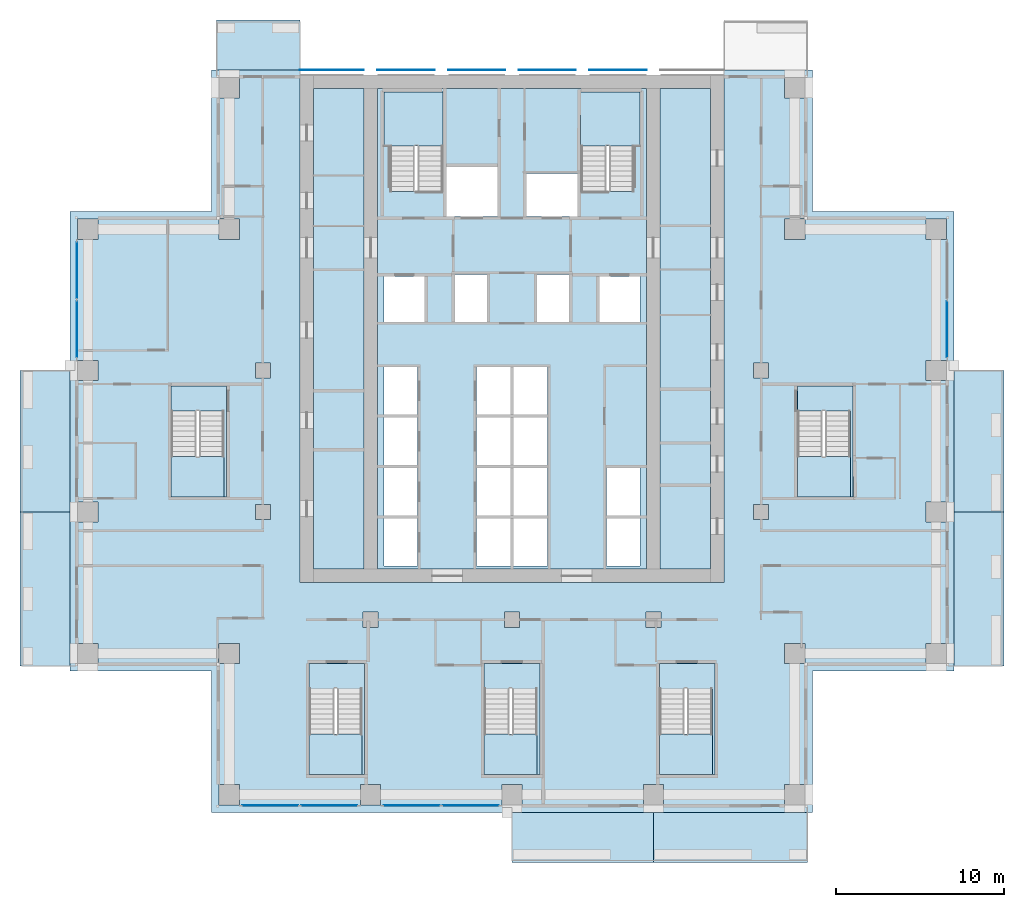
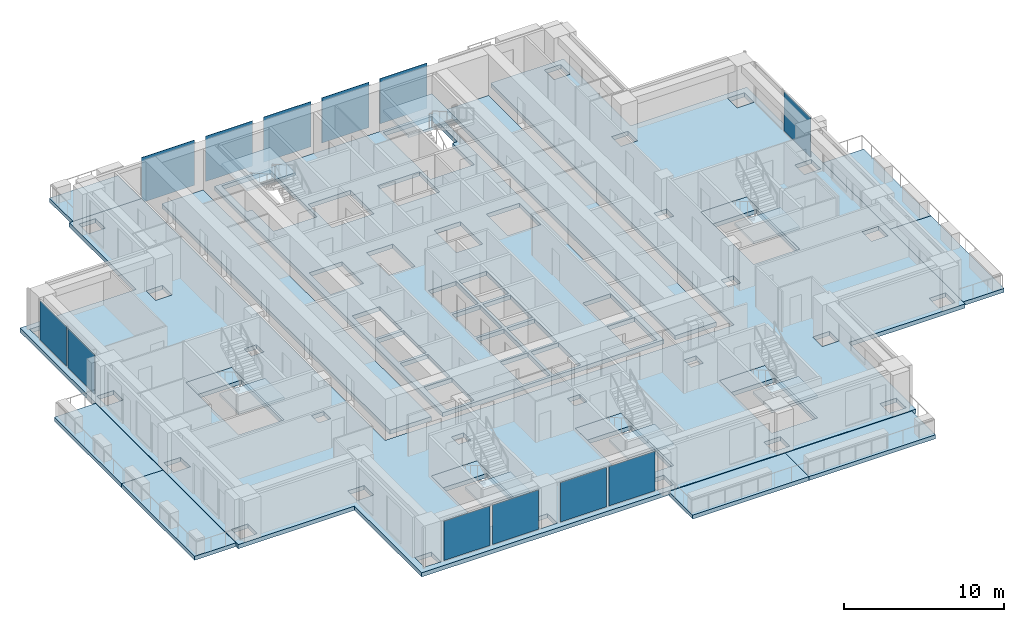
# One storey, part 7 of 18: 23 slabs, 12 plates, 11 elements without a shape of their own.
"""IFC4 building model written with IfcOpenShell, lengths in metres."""

from ifc_helpers import new_model, si_unit, direction, frame, origin, origin_2d, place, context, subcontext, project, spatial, polyline, rectangle, outline, extrude, material, layer, layer_set, type_object, element, aggregate, save


model = new_model("IFC4")

# Units and contexts
model_context = context("Model", 3, precision=1e-05, world=origin(), true_north=direction((0.0, 1.0)))
body_context = subcontext(model_context, "Body", "Model", "MODEL_VIEW")
ifc_project = project(units=[si_unit("LENGTHUNIT", "METRE"), si_unit("AREAUNIT", "SQUARE_METRE"), si_unit("VOLUMEUNIT", "CUBIC_METRE"), si_unit("PLANEANGLEUNIT", "RADIAN"), si_unit("MASSUNIT", "GRAM", prefix="KILO")], contexts=[model_context])

# Site, building, storey
site_placement = place(None, origin())
site = spatial("IfcSite", under=ifc_project, at=site_placement, CompositionType="ELEMENT")
building_placement = place(site_placement, origin())
building = spatial("IfcBuilding", under=site, at=building_placement, Name="Vermilion Ogive Tower", CompositionType="ELEMENT")
storey_placement = place(building_placement, frame((0.0, 0.0, 108.0)))
storey = spatial("IfcBuildingStorey", under=building, at=storey_placement, Name="L27", CompositionType="ELEMENT", Elevation=108.0)

# Slabs
ifc_material_1 = material(Name="Concrete B40", Category="concrete")
ifc_layer_1 = layer(ifc_material_1, 0.300048828125)
ifc_layer_set_1 = layer_set([ifc_layer_1], Name="Balcony slab")
slab_type_1 = type_object("IfcSlabType", Name="Balcony slab", PredefinedType="FLOOR", material=ifc_layer_set_1)
slab_1_placement = place(storey_placement, frame((0.0, 0.0, -0.340087890625)))
element("IfcSlab", 1, at=slab_1_placement, inside=storey, type_object=slab_type_1, Name="Balcony slab S03", PredefinedType="FLOOR", context=body_context, shape_type="SweptSolid", body=[
    extrude(outline(polyline([(0.0, -25.030029296875), (8.39990234375, -25.030029296875), (8.39990234375, -22.050048828125), (0.0, -22.050048828125), (0.0, -25.030029296875)])), origin(), (0.0, 0.0, 1.0), 0.300048828125),
])
slab_2_placement = place(storey_placement, frame((0.0, 0.0, -0.340087890625)))
element("IfcSlab", 2, at=slab_2_placement, inside=storey, type_object=slab_type_1, Name="Balcony slab S04", PredefinedType="FLOOR", context=body_context, shape_type="SweptSolid", body=[
    extrude(outline(polyline([(8.39990234375, -25.030029296875), (17.550048828125, -25.030029296875), (17.550048828125, -22.050048828125), (8.39990234375, -22.050048828125), (8.39990234375, -25.030029296875)])), origin(), (0.0, 0.0, 1.0), 0.300048828125),
])
slab_3_placement = place(storey_placement, frame((0.0, 0.0, -0.340087890625)))
element("IfcSlab", 3, at=slab_3_placement, inside=storey, type_object=slab_type_1, Name="Balcony slab E01", PredefinedType="FLOOR", context=body_context, shape_type="SweptSolid", body=[
    extrude(outline(polyline([(29.22998046875, -13.35009765625), (29.22998046875, -4.199951171875), (26.25, -4.199951171875), (26.25, -13.35009765625), (29.22998046875, -13.35009765625)])), origin(), (0.0, 0.0, 1.0), 0.300048828125),
])
slab_4_placement = place(storey_placement, frame((0.0, 0.0, -0.340087890625)))
element("IfcSlab", 4, at=slab_4_placement, inside=storey, type_object=slab_type_1, Name="Balcony slab E02", PredefinedType="FLOOR", context=body_context, shape_type="SweptSolid", body=[
    extrude(outline(polyline([(29.22998046875, -4.199951171875), (29.22998046875, 4.199951171875), (26.25, 4.199951171875), (26.25, -4.199951171875), (29.22998046875, -4.199951171875)])), origin(), (0.0, 0.0, 1.0), 0.300048828125),
])
slab_5_placement = place(storey_placement, frame((0.0, 0.0, -0.340087890625)))
element("IfcSlab", 5, at=slab_5_placement, inside=storey, type_object=slab_type_1, Name="Balcony slab N201", PredefinedType="FLOOR", context=body_context, shape_type="SweptSolid", body=[
    extrude(outline(polyline([(-12.60009765625, 25.030029296875), (-17.550048828125, 25.030029296875), (-17.550048828125, 22.050048828125), (-12.60009765625, 22.050048828125), (-12.60009765625, 25.030029296875)])), origin(), (0.0, 0.0, 1.0), 0.300048828125),
])
slab_6_placement = place(storey_placement, frame((0.0, 0.0, -0.340087890625)))
element("IfcSlab", 6, at=slab_6_placement, inside=storey, type_object=slab_type_1, Name="Balcony slab W02", PredefinedType="FLOOR", context=body_context, shape_type="SweptSolid", body=[
    extrude(outline(polyline([(-29.22998046875, 4.199951171875), (-29.22998046875, -4.199951171875), (-26.25, -4.199951171875), (-26.25, 4.199951171875), (-29.22998046875, 4.199951171875)])), origin(), (0.0, 0.0, 1.0), 0.300048828125),
])
slab_7_placement = place(storey_placement, frame((0.0, 0.0, -0.340087890625)))
element("IfcSlab", 7, at=slab_7_placement, inside=storey, type_object=slab_type_1, Name="Balcony slab W03", PredefinedType="FLOOR", context=body_context, shape_type="SweptSolid", body=[
    extrude(outline(polyline([(-29.22998046875, -4.199951171875), (-29.22998046875, -13.35009765625), (-26.25, -13.35009765625), (-26.25, -4.199951171875), (-29.22998046875, -4.199951171875)])), origin(), (0.0, 0.0, 1.0), 0.300048828125),
])

# Curtain wall, plates
ifc_material_2 = material(Name="Low-iron laminated glazing in aluminium frame", Category="aluminium")
curtain_wall_type = type_object("IfcCurtainWallType", Name="Curtain wall CW7", PredefinedType="NOTDEFINED", material=ifc_material_2)
curtain_wall_1_placement = place(storey_placement, origin())
curtain_wall_1 = element("IfcCurtainWall", 8, at=curtain_wall_1_placement, inside=storey, type_object=curtain_wall_type, Name="Glazed skin S1", PredefinedType="NOTDEFINED")
ifc_material_3 = material(Name="Low-iron laminated glazing in aluminium frame", Category="aluminium")
ifc_layer_2 = layer(ifc_material_3, 0.031982421875)
ifc_layer_set_2 = layer_set([ifc_layer_2], Name="CW7 glazing panel 32")
plate_type_1 = type_object("IfcPlateType", Name="CW7 glazing panel 32", PredefinedType="CURTAIN_PANEL", material=ifc_layer_set_2)
plate_1_placement = place(storey_placement, frame((-14.35498046875, -21.64990234375, 0.06005859375), z_axis=(0.0, 0.0, 1.0), x_axis=(1.0, 0.0, 0.0)))
plate_1 = element("IfcPlate", 9, at=plate_1_placement, type_object=plate_type_1, Name="CW7-S1 panel 1.1", PredefinedType="CURTAIN_PANEL", context=body_context, shape_type="SweptSolid", body=[
    extrude(rectangle(XDim=3.330078125, YDim=0.031982421875, at=origin_2d()), origin(), (0.0, 0.0, 1.0), 3.010009765625),
])
plate_2_placement = place(storey_placement, frame((-10.844970703125, -21.64990234375, 0.06005859375), z_axis=(0.0, 0.0, 1.0), x_axis=(1.0, 0.0, 0.0)))
plate_2 = element("IfcPlate", 10, at=plate_2_placement, type_object=plate_type_1, Name="CW7-S1 panel 2.1", PredefinedType="CURTAIN_PANEL", context=body_context, shape_type="SweptSolid", body=[
    extrude(rectangle(XDim=3.330078125, YDim=0.031982421875, at=origin_2d()), origin(), (0.0, 0.0, 1.0), 3.010009765625),
])
aggregate(curtain_wall_1, [plate_1, plate_2])

curtain_wall_2_placement = place(storey_placement, origin())
curtain_wall_2 = element("IfcCurtainWall", 11, at=curtain_wall_2_placement, inside=storey, type_object=curtain_wall_type, Name="Glazed skin S2", PredefinedType="NOTDEFINED")
plate_3_placement = place(storey_placement, frame((-5.955078125, -21.64990234375, 0.06005859375), z_axis=(0.0, 0.0, 1.0), x_axis=(1.0, 0.0, 0.0)))
plate_3 = element("IfcPlate", 12, at=plate_3_placement, type_object=plate_type_1, Name="CW7-S2 panel 1.1", PredefinedType="CURTAIN_PANEL", context=body_context, shape_type="SweptSolid", body=[
    extrude(rectangle(XDim=3.330078125, YDim=0.031982421875, at=origin_2d()), origin(), (0.0, 0.0, 1.0), 3.010009765625),
])
plate_4_placement = place(storey_placement, frame((-2.445068359375, -21.64990234375, 0.06005859375), z_axis=(0.0, 0.0, 1.0), x_axis=(1.0, 0.0, 0.0)))
plate_4 = element("IfcPlate", 13, at=plate_4_placement, type_object=plate_type_1, Name="CW7-S2 panel 2.1", PredefinedType="CURTAIN_PANEL", context=body_context, shape_type="SweptSolid", body=[
    extrude(rectangle(XDim=3.330078125, YDim=0.031982421875, at=origin_2d()), origin(), (0.0, 0.0, 1.0), 3.010009765625),
])
aggregate(curtain_wall_2, [plate_3, plate_4])

# Curtain wall, plate
curtain_wall_3_placement = place(storey_placement, origin())
curtain_wall_3 = element("IfcCurtainWall", 14, at=curtain_wall_3_placement, inside=storey, type_object=curtain_wall_type, Name="Glazed skin E3", PredefinedType="NOTDEFINED")
plate_5_placement = place(storey_placement, frame((25.85009765625, 6.64501953125, 0.06005859375), z_axis=(0.0, 0.0, 1.0), x_axis=(0.0, 1.0, 0.0)))
plate_5 = element("IfcPlate", 15, at=plate_5_placement, type_object=plate_type_1, Name="CW7-E3 panel 1.1", PredefinedType="CURTAIN_PANEL", context=body_context, shape_type="SweptSolid", body=[
    extrude(rectangle(XDim=3.330078125, YDim=0.031982421875, at=origin_2d()), origin(), (0.0, 0.0, 1.0), 3.010009765625),
])
aggregate(curtain_wall_3, [plate_5])

# Curtain wall, plates
curtain_wall_4_placement = place(storey_placement, origin())
curtain_wall_4 = element("IfcCurtainWall", 16, at=curtain_wall_4_placement, inside=storey, type_object=curtain_wall_type, Name="Glazed skin W1", PredefinedType="NOTDEFINED")
plate_6_placement = place(storey_placement, frame((-25.85009765625, 10.155029296875, 0.06005859375), z_axis=(0.0, 0.0, 1.0), x_axis=(0.0, -1.0, 0.0)))
plate_6 = element("IfcPlate", 17, at=plate_6_placement, type_object=plate_type_1, Name="CW7-W1 panel 1.1", PredefinedType="CURTAIN_PANEL", context=body_context, shape_type="SweptSolid", body=[
    extrude(rectangle(XDim=3.330078125, YDim=0.031982421875, at=origin_2d()), origin(), (0.0, 0.0, 1.0), 3.010009765625),
])
plate_7_placement = place(storey_placement, frame((-25.85009765625, 6.64501953125, 0.06005859375), z_axis=(0.0, 0.0, 1.0), x_axis=(0.0, -1.0, 0.0)))
plate_7 = element("IfcPlate", 18, at=plate_7_placement, type_object=plate_type_1, Name="CW7-W1 panel 2.1", PredefinedType="CURTAIN_PANEL", context=body_context, shape_type="SweptSolid", body=[
    extrude(rectangle(XDim=3.330078125, YDim=0.031982421875, at=origin_2d()), origin(), (0.0, 0.0, 1.0), 3.010009765625),
])
aggregate(curtain_wall_4, [plate_6, plate_7])

# Slabs
ifc_material_4 = material(Name="Concrete B40", Category="concrete")
ifc_layer_3 = layer(ifc_material_4, 0.320068359375)
ifc_layer_set_3 = layer_set([ifc_layer_3], Name="Core floor slab 320 B40")
slab_type_2 = type_object("IfcSlabType", Name="Core floor slab 320 B40", PredefinedType="FLOOR", material=ifc_layer_set_3)
slab_8_placement = place(storey_placement, frame((0.0, 0.0, -0.320068359375)))
element("IfcSlab", 19, at=slab_8_placement, inside=storey, type_object=slab_type_2, Name="L27-CK-FS1", PredefinedType="FLOOR", context=body_context, shape_type="SweptSolid", body=[
    extrude(outline(polyline([(-8.803955078125, 20.946044921875), (-8.803955078125, -7.595947265625), (-11.7958984375, -7.595947265625), (-11.7958984375, 20.946044921875), (-8.803955078125, 20.946044921875)])), origin(), (0.0, 0.0, 1.0), 0.320068359375),
])
slab_9_placement = place(storey_placement, frame((0.0, 0.0, -0.320068359375)))
element("IfcSlab", 20, at=slab_9_placement, inside=storey, type_object=slab_type_2, Name="L27-CK-FS2", PredefinedType="FLOOR", context=body_context, shape_type="SweptSolid", body=[
    extrude(outline(polyline([(-7.99609375, 20.946044921875), (-7.99609375, -7.595947265625), (7.99609375, -7.595947265625), (7.99609375, 20.946044921875), (-7.99609375, 20.946044921875)]), holes=[polyline([(-7.60009765625, -4.60009765625), (-5.60009765625, -4.60009765625), (-5.60009765625, -7.39990234375), (-7.60009765625, -7.39990234375), (-7.60009765625, -4.60009765625)]), polyline([(-2.10009765625, -4.60009765625), (-0.10009765625, -4.60009765625), (-0.10009765625, -7.39990234375), (-2.10009765625, -7.39990234375), (-2.10009765625, -4.60009765625)]), polyline([(-7.60009765625, -4.39990234375), (-7.60009765625, -1.60009765625), (-5.60009765625, -1.60009765625), (-5.60009765625, -4.39990234375), (-7.60009765625, -4.39990234375)]), polyline([(-2.10009765625, -1.60009765625), (-0.10009765625, -1.60009765625), (-0.10009765625, -4.39990234375), (-2.10009765625, -4.39990234375), (-2.10009765625, -1.60009765625)]), polyline([(-7.60009765625, -1.39990234375), (-7.60009765625, 1.39990234375), (-5.60009765625, 1.39990234375), (-5.60009765625, -1.39990234375), (-7.60009765625, -1.39990234375)]), polyline([(-2.10009765625, 1.39990234375), (-0.10009765625, 1.39990234375), (-0.10009765625, -1.39990234375), (-2.10009765625, -1.39990234375), (-2.10009765625, 1.39990234375)]), polyline([(-7.60009765625, 4.39990234375), (-5.60009765625, 4.39990234375), (-5.60009765625, 1.60009765625), (-7.60009765625, 1.60009765625), (-7.60009765625, 4.39990234375)]), polyline([(-2.10009765625, 4.39990234375), (-0.10009765625, 4.39990234375), (-0.10009765625, 1.60009765625), (-2.10009765625, 1.60009765625), (-2.10009765625, 4.39990234375)]), polyline([(-7.60009765625, 9.800048828125), (-5.199951171875, 9.800048828125), (-5.199951171875, 7.10009765625), (-7.60009765625, 7.10009765625), (-7.60009765625, 9.800048828125)]), polyline([(-3.39990234375, 9.89990234375), (-1.5, 9.89990234375), (-1.5, 7.10009765625), (-3.39990234375, 7.10009765625), (-3.39990234375, 9.89990234375)]), polyline([(-3.89990234375, 16.300048828125), (-0.85009765625, 16.300048828125), (-0.85009765625, 13.35009765625), (-3.89990234375, 13.35009765625), (-3.89990234375, 16.300048828125)]), polyline([(-7.60009765625, 17.550048828125), (-7.60009765625, 20.75), (-4.10009765625, 20.75), (-4.10009765625, 14.85205078125), (-5.60009765625, 14.85205078125), (-5.60009765625, 14.85009765625), (-5.75, 14.85009765625), (-5.75, 14.85205078125), (-7.25, 14.85205078125), (-7.25, 17.550048828125), (-7.60009765625, 17.550048828125)]), polyline([(0.10009765625, -4.60009765625), (2.10009765625, -4.60009765625), (2.10009765625, -7.39990234375), (0.10009765625, -7.39990234375), (0.10009765625, -4.60009765625)]), polyline([(5.60009765625, -4.60009765625), (7.60009765625, -4.60009765625), (7.60009765625, -7.39990234375), (5.60009765625, -7.39990234375), (5.60009765625, -4.60009765625)]), polyline([(0.10009765625, -1.60009765625), (2.10009765625, -1.60009765625), (2.10009765625, -4.39990234375), (0.10009765625, -4.39990234375), (0.10009765625, -1.60009765625)]), polyline([(5.60009765625, -1.60009765625), (7.60009765625, -1.60009765625), (7.60009765625, -4.39990234375), (5.60009765625, -4.39990234375), (5.60009765625, -1.60009765625)]), polyline([(0.10009765625, 1.39990234375), (2.10009765625, 1.39990234375), (2.10009765625, -1.39990234375), (0.10009765625, -1.39990234375), (0.10009765625, 1.39990234375)]), polyline([(0.10009765625, 4.39990234375), (2.10009765625, 4.39990234375), (2.10009765625, 1.60009765625), (0.10009765625, 1.60009765625), (0.10009765625, 4.39990234375)]), polyline([(5.199951171875, 9.800048828125), (7.60009765625, 9.800048828125), (7.60009765625, 7.10009765625), (5.199951171875, 7.10009765625), (5.199951171875, 9.800048828125)]), polyline([(1.5, 9.89990234375), (3.39990234375, 9.89990234375), (3.39990234375, 7.10009765625), (1.5, 7.10009765625), (1.5, 9.89990234375)]), polyline([(0.85009765625, 15.89990234375), (3.89990234375, 15.89990234375), (3.89990234375, 13.35009765625), (0.85009765625, 13.35009765625), (0.85009765625, 15.89990234375)]), polyline([(5.75, 14.85009765625), (5.60009765625, 14.85009765625), (5.60009765625, 14.85205078125), (4.10009765625, 14.85205078125), (4.10009765625, 17.550048828125), (4.074951171875, 17.550048828125), (4.074951171875, 20.75), (7.60009765625, 20.75), (7.60009765625, 17.550048828125), (7.25, 17.550048828125), (7.25, 14.85205078125), (5.75, 14.85205078125), (5.75, 14.85009765625)])]), origin(), (0.0, 0.0, 1.0), 0.320068359375),
])
slab_10_placement = place(storey_placement, frame((0.0, 0.0, -0.320068359375)))
element("IfcSlab", 21, at=slab_10_placement, inside=storey, type_object=slab_type_2, Name="L27-CK-FS3", PredefinedType="FLOOR", context=body_context, shape_type="SweptSolid", body=[
    extrude(outline(polyline([(11.7958984375, -7.595947265625), (8.803955078125, -7.595947265625), (8.803955078125, 20.946044921875), (11.7958984375, 20.946044921875), (11.7958984375, -7.595947265625)])), origin(), (0.0, 0.0, 1.0), 0.320068359375),
])
slab_11_placement = place(storey_placement, frame((0.0, 0.0, -0.320068359375)))
element("IfcSlab", 22, at=slab_11_placement, inside=storey, type_object=slab_type_2, Name="L27-SF-ST3-1", PredefinedType="FLOOR", context=body_context, shape_type="SweptSolid", body=[
    extrude(outline(polyline([(-12.050048828125, -13.199951171875), (-12.050048828125, -14.701904296875), (-10.550048828125, -14.701904296875), (-10.550048828125, -14.699951171875), (-10.39990234375, -14.699951171875), (-10.39990234375, -14.701904296875), (-8.89990234375, -14.701904296875), (-8.89990234375, -19.800048828125), (-8.75, -19.800048828125), (-8.75, -13.199951171875), (-12.050048828125, -13.199951171875)])), origin(), (0.0, 0.0, 1.0), 0.320068359375),
])
slab_12_placement = place(storey_placement, frame((0.0, 0.0, -0.320068359375)))
element("IfcSlab", 23, at=slab_12_placement, inside=storey, type_object=slab_type_2, Name="L27-SF-ST4-1", PredefinedType="FLOOR", context=body_context, shape_type="SweptSolid", body=[
    extrude(outline(polyline([(-1.64990234375, -13.199951171875), (-1.64990234375, -14.701904296875), (-0.14990234375, -14.701904296875), (-0.14990234375, -14.699951171875), (0.0, -14.699951171875), (0.0, -14.701904296875), (1.5, -14.701904296875), (1.5, -19.800048828125), (1.64990234375, -19.800048828125), (1.64990234375, -13.199951171875), (-1.64990234375, -13.199951171875)])), origin(), (0.0, 0.0, 1.0), 0.320068359375),
])
slab_13_placement = place(storey_placement, frame((0.0, 0.0, -0.320068359375)))
element("IfcSlab", 24, at=slab_13_placement, inside=storey, type_object=slab_type_2, Name="L27-SF-ST5-1", PredefinedType="FLOOR", context=body_context, shape_type="SweptSolid", body=[
    extrude(outline(polyline([(8.75, -13.199951171875), (8.75, -14.701904296875), (10.25, -14.701904296875), (10.25, -14.699951171875), (10.39990234375, -14.699951171875), (10.39990234375, -14.701904296875), (11.89990234375, -14.701904296875), (11.89990234375, -19.800048828125), (12.050048828125, -19.800048828125), (12.050048828125, -13.199951171875), (8.75, -13.199951171875)])), origin(), (0.0, 0.0, 1.0), 0.320068359375),
])
slab_14_placement = place(storey_placement, frame((0.0, 0.0, -0.320068359375)))
element("IfcSlab", 25, at=slab_14_placement, inside=storey, type_object=slab_type_2, Name="L27-SF-ST8-1", PredefinedType="FLOOR", context=body_context, shape_type="SweptSolid", body=[
    extrude(outline(polyline([(16.949951171875, 3.300048828125), (16.949951171875, 1.798095703125), (18.449951171875, 1.798095703125), (18.449951171875, 1.800048828125), (18.60009765625, 1.800048828125), (18.60009765625, 1.798095703125), (20.10009765625, 1.798095703125), (20.10009765625, -3.300048828125), (20.25, -3.300048828125), (20.25, 3.300048828125), (16.949951171875, 3.300048828125)])), origin(), (0.0, 0.0, 1.0), 0.320068359375),
])
slab_15_placement = place(storey_placement, frame((0.0, 0.0, -0.320068359375)))
element("IfcSlab", 26, at=slab_15_placement, inside=storey, type_object=slab_type_2, Name="L27-SF-ST9-1", PredefinedType="FLOOR", context=body_context, shape_type="SweptSolid", body=[
    extrude(outline(polyline([(-20.25, 3.300048828125), (-20.25, 1.798095703125), (-18.75, 1.798095703125), (-18.75, 1.800048828125), (-18.60009765625, 1.800048828125), (-18.60009765625, 1.798095703125), (-17.10009765625, 1.798095703125), (-17.10009765625, -3.300048828125), (-16.949951171875, -3.300048828125), (-16.949951171875, 3.300048828125), (-20.25, 3.300048828125)])), origin(), (0.0, 0.0, 1.0), 0.320068359375),
])

# Plates
ifc_material_5 = material(Name="Low-iron laminated glazing in aluminium frame", Category="aluminium")
ifc_layer_4 = layer(ifc_material_5, 0.031982421875)
ifc_layer_set_4 = layer_set([ifc_layer_4], Name="Glazed rainscreen sheet 32")
plate_type_2 = type_object("IfcPlateType", Name="Glazed rainscreen sheet 32", PredefinedType="SHEET", material=ifc_layer_set_4)
plate_8_placement = place(storey_placement, frame((-10.7099609375, 22.06591796875, -0.31982421875), z_axis=(0.0, 0.0, 1.0), x_axis=(1.0, 0.0, 0.0)))
element("IfcPlate", 27, at=plate_8_placement, inside=storey, type_object=plate_type_2, Name="Glazed rainscreen sheet N1", PredefinedType="SHEET", context=body_context, shape_type="SweptSolid", body=[
    extrude(rectangle(XDim=3.820068359375, YDim=0.031982421875, at=origin_2d()), origin(), (0.0, 0.0, 1.0), 3.449951171875),
])
for number, where, z_axis, x_axis, name in (
    (28, (-6.300048828125, 22.06591796875, -0.31982421875), (0.0, 0.0, 1.0), (1.0, 0.0, 0.0), "Glazed rainscreen sheet N2"),
    (29, (-2.10009765625, 22.06591796875, -0.31982421875), (0.0, 0.0, 1.0), (1.0, 0.0, 0.0), "Glazed rainscreen sheet N3"),
    (30, (2.10009765625, 22.06591796875, -0.31982421875), (0.0, 0.0, 1.0), (1.0, 0.0, 0.0), "Glazed rainscreen sheet N4"),
    (31, (6.300048828125, 22.06591796875, -0.31982421875), (0.0, 0.0, 1.0), (1.0, 0.0, 0.0), "Glazed rainscreen sheet N5"),
):
    element("IfcPlate", number, at=place(storey_placement, frame(where, z_axis=z_axis, x_axis=x_axis)), inside=storey, type_object=plate_type_2, Name=name, PredefinedType="SHEET", context=body_context, shape_type="SweptSolid", body=[
        extrude(rectangle(XDim=3.39990234375, YDim=0.031982421875, at=origin_2d()), origin(), (0.0, 0.0, 1.0), 3.449951171875),
    ])

# Slab
ifc_material_6 = material(Name="Concrete B45", Category="concrete")
ifc_layer_5 = layer(ifc_material_6, 0.320068359375)
ifc_layer_set_5 = layer_set([ifc_layer_5], Name="Post-tensioned flat plate 320 B45")
slab_type_3 = type_object("IfcSlabType", Name="Post-tensioned flat plate 320 B45", PredefinedType="FLOOR", material=ifc_layer_set_5)
slab_16_placement = place(storey_placement, frame((0.0, 0.0, -0.320068359375)))
element("IfcSlab", 32, at=slab_16_placement, inside=storey, type_object=slab_type_3, Name="L27-SL-1", PredefinedType="FLOOR", context=body_context, shape_type="SweptSolid", body=[
    extrude(outline(polyline([(-26.25, -13.64990234375), (-17.85009765625, -13.64990234375), (-17.85009765625, -22.050048828125), (17.85009765625, -22.050048828125), (17.85009765625, -13.64990234375), (26.25, -13.64990234375), (26.25, 13.64990234375), (17.85009765625, 13.64990234375), (17.85009765625, 22.050048828125), (12.60009765625, 22.050048828125), (12.60009765625, -8.39990234375), (-12.60009765625, -8.39990234375), (-12.60009765625, 22.050048828125), (-17.85009765625, 22.050048828125), (-17.85009765625, 13.64990234375), (-26.25, 13.64990234375), (-26.25, -13.64990234375)]), holes=[polyline([(25.800048828125, -3.60009765625), (25.800048828125, -4.800048828125), (24.60009765625, -4.800048828125), (24.60009765625, -3.60009765625), (25.800048828125, -3.60009765625)]), polyline([(25.800048828125, -12.0), (25.800048828125, -13.199951171875), (24.60009765625, -13.199951171875), (24.60009765625, -12.0), (25.800048828125, -12.0)]), polyline([(25.800048828125, 12.0), (24.60009765625, 12.0), (24.60009765625, 13.199951171875), (25.800048828125, 13.199951171875), (25.800048828125, 12.0)]), polyline([(25.800048828125, 3.60009765625), (24.60009765625, 3.60009765625), (24.60009765625, 4.800048828125), (25.800048828125, 4.800048828125), (25.800048828125, 3.60009765625)]), polyline([(20.25, -3.2998046875), (20.25, -3.300048828125), (16.949951171875, -3.300048828125), (16.949951171875, 3.300048828125), (20.25, 3.300048828125), (20.25, -0.89990234375), (20.275146484375, -0.89990234375), (20.275146484375, -3.2998046875), (20.25, -3.2998046875)]), polyline([(17.39990234375, -12.0), (17.39990234375, -13.199951171875), (16.199951171875, -13.199951171875), (16.199951171875, -12.0), (17.39990234375, -12.0)]), polyline([(17.39990234375, 20.39990234375), (16.199951171875, 20.39990234375), (16.199951171875, 21.60009765625), (17.39990234375, 21.60009765625), (17.39990234375, 20.39990234375)]), polyline([(17.39990234375, -20.39990234375), (17.39990234375, -21.60009765625), (16.199951171875, -21.60009765625), (16.199951171875, -20.39990234375), (17.39990234375, -20.39990234375)]), polyline([(17.39990234375, 13.199951171875), (17.39990234375, 12.0), (16.199951171875, 12.0), (16.199951171875, 13.199951171875), (17.39990234375, 13.199951171875)]), polyline([(15.25, 4.64990234375), (15.25, 3.75), (14.35009765625, 3.75), (14.35009765625, 4.64990234375), (15.25, 4.64990234375)]), polyline([(15.25, -4.64990234375), (14.35009765625, -4.64990234375), (14.35009765625, -3.75), (15.25, -3.75), (15.25, -4.64990234375)]), polyline([(12.050048828125, -13.199951171875), (12.050048828125, -19.800048828125), (8.75, -19.800048828125), (8.75, -13.199951171875), (12.050048828125, -13.199951171875)]), polyline([(9.0, -20.39990234375), (9.0, -21.60009765625), (7.800048828125, -21.60009765625), (7.800048828125, -20.39990234375), (9.0, -20.39990234375)]), polyline([(8.85009765625, -11.050048828125), (7.949951171875, -11.050048828125), (7.949951171875, -10.14990234375), (8.85009765625, -10.14990234375), (8.85009765625, -11.050048828125)]), polyline([(1.64990234375, -13.199951171875), (1.64990234375, -19.800048828125), (-1.64990234375, -19.800048828125), (-1.64990234375, -13.199951171875), (1.64990234375, -13.199951171875)]), polyline([(0.60009765625, -20.39990234375), (0.60009765625, -21.60009765625), (-0.60009765625, -21.60009765625), (-0.60009765625, -20.39990234375), (0.60009765625, -20.39990234375)]), polyline([(0.449951171875, -10.14990234375), (0.449951171875, -11.050048828125), (-0.449951171875, -11.050048828125), (-0.449951171875, -10.14990234375), (0.449951171875, -10.14990234375)]), polyline([(-7.800048828125, -20.39990234375), (-7.800048828125, -21.60009765625), (-9.0, -21.60009765625), (-9.0, -20.39990234375), (-7.800048828125, -20.39990234375)]), polyline([(-7.949951171875, -10.14990234375), (-7.949951171875, -11.050048828125), (-8.85009765625, -11.050048828125), (-8.85009765625, -10.14990234375), (-7.949951171875, -10.14990234375)]), polyline([(-8.75, -13.199951171875), (-8.75, -19.800048828125), (-12.050048828125, -19.800048828125), (-12.050048828125, -13.199951171875), (-8.75, -13.199951171875)]), polyline([(-14.35009765625, 4.64990234375), (-14.35009765625, 3.75), (-15.25, 3.75), (-15.25, 4.64990234375), (-14.35009765625, 4.64990234375)]), polyline([(-14.35009765625, -4.64990234375), (-15.25, -4.64990234375), (-15.25, -3.75), (-14.35009765625, -3.75), (-14.35009765625, -4.64990234375)]), polyline([(-16.199951171875, 13.199951171875), (-16.199951171875, 12.0), (-17.39990234375, 12.0), (-17.39990234375, 13.199951171875), (-16.199951171875, 13.199951171875)]), polyline([(-16.199951171875, -12.0), (-16.199951171875, -13.199951171875), (-17.39990234375, -13.199951171875), (-17.39990234375, -12.0), (-16.199951171875, -12.0)]), polyline([(-16.199951171875, -20.39990234375), (-16.199951171875, -21.60009765625), (-17.39990234375, -21.60009765625), (-17.39990234375, -20.39990234375), (-16.199951171875, -20.39990234375)]), polyline([(-16.199951171875, 20.39990234375), (-17.39990234375, 20.39990234375), (-17.39990234375, 21.60009765625), (-16.199951171875, 21.60009765625), (-16.199951171875, 20.39990234375)]), polyline([(-16.949951171875, 3.300048828125), (-16.949951171875, -3.300048828125), (-20.25, -3.300048828125), (-20.25, 3.300048828125), (-16.949951171875, 3.300048828125)]), polyline([(-24.60009765625, 3.60009765625), (-25.800048828125, 3.60009765625), (-25.800048828125, 4.800048828125), (-24.60009765625, 4.800048828125), (-24.60009765625, 3.60009765625)]), polyline([(-24.60009765625, 13.199951171875), (-24.60009765625, 12.0), (-25.800048828125, 12.0), (-25.800048828125, 13.199951171875), (-24.60009765625, 13.199951171875)]), polyline([(-24.60009765625, -3.60009765625), (-24.60009765625, -4.800048828125), (-25.800048828125, -4.800048828125), (-25.800048828125, -3.60009765625), (-24.60009765625, -3.60009765625)]), polyline([(-24.60009765625, -12.0), (-24.60009765625, -13.199951171875), (-25.800048828125, -13.199951171875), (-25.800048828125, -12.0), (-24.60009765625, -12.0)])]), origin(), (0.0, 0.0, 1.0), 0.320068359375),
])

# Stair, slab
ifc_material_7 = material(Name="Concrete B40", Category="concrete")
stair_type = type_object("IfcStairType", Name="Exit stair 1500", PredefinedType="HALF_TURN_STAIR", material=ifc_material_7)
stair_1_placement = place(storey_placement, origin())
stair_1 = element("IfcStair", 33, at=stair_1_placement, inside=storey, type_object=stair_type, Name="L27 Exit Stair ST1", PredefinedType="HALF_TURN_STAIR")
ifc_material_8 = material(Name="Concrete B40", Category="concrete")
ifc_layer_6 = layer(ifc_material_8, 0.199951171875)
ifc_layer_set_6 = layer_set([ifc_layer_6], Name="Stair landing 200")
slab_type_4 = type_object("IfcSlabType", Name="Stair landing 200", PredefinedType="LANDING", material=ifc_layer_set_6)
slab_17_placement = place(storey_placement, frame((0.0, 0.0, 1.52490234375)))
slab_17 = element("IfcSlab", 34, at=slab_17_placement, type_object=slab_type_4, Name="ST1 landing 1", PredefinedType="LANDING", context=body_context, shape_type="SweptSolid", body=[
    extrude(outline(polyline([(-7.60009765625, 17.550048828125), (-7.25, 17.550048828125), (-7.25, 17.548095703125), (-5.75, 17.548095703125), (-5.75, 17.550048828125), (-5.60009765625, 17.550048828125), (-5.60009765625, 17.548095703125), (-4.10009765625, 17.548095703125), (-4.10009765625, 20.75), (-7.60009765625, 20.75), (-7.60009765625, 17.550048828125)])), origin(), (0.0, 0.0, 1.0), 0.2001953125),
])
aggregate(stair_1, [slab_17])

stair_2_placement = place(storey_placement, origin())
stair_2 = element("IfcStair", 35, at=stair_2_placement, inside=storey, type_object=stair_type, Name="L27 Exit Stair ST2", PredefinedType="HALF_TURN_STAIR")
slab_18_placement = place(storey_placement, frame((0.0, 0.0, 1.52490234375)))
slab_18 = element("IfcSlab", 36, at=slab_18_placement, type_object=slab_type_4, Name="ST2 landing 1", PredefinedType="LANDING", context=body_context, shape_type="SweptSolid", body=[
    extrude(outline(polyline([(5.60009765625, 17.550048828125), (5.75, 17.550048828125), (5.75, 17.548095703125), (7.25, 17.548095703125), (7.25, 17.550048828125), (7.60009765625, 17.550048828125), (7.60009765625, 20.75), (4.074951171875, 20.75), (4.074951171875, 17.550048828125), (4.10009765625, 17.550048828125), (4.10009765625, 17.548095703125), (5.60009765625, 17.548095703125), (5.60009765625, 17.550048828125)])), origin(), (0.0, 0.0, 1.0), 0.2001953125),
])
aggregate(stair_2, [slab_18])

stair_3_placement = place(storey_placement, origin())
stair_3 = element("IfcStair", 37, at=stair_3_placement, inside=storey, type_object=stair_type, Name="L27 Exit Stair ST3", PredefinedType="HALF_TURN_STAIR")
slab_19_placement = place(storey_placement, frame((0.0, 0.0, 1.52490234375)))
slab_19 = element("IfcSlab", 38, at=slab_19_placement, type_object=slab_type_4, Name="ST3 landing 1", PredefinedType="LANDING", context=body_context, shape_type="SweptSolid", body=[
    extrude(outline(polyline([(-8.75, -17.39990234375), (-8.89990234375, -17.39990234375), (-8.89990234375, -17.39794921875), (-10.39990234375, -17.39794921875), (-10.39990234375, -17.39990234375), (-10.550048828125, -17.39990234375), (-10.550048828125, -17.39794921875), (-12.050048828125, -17.39794921875), (-12.050048828125, -19.800048828125), (-8.75, -19.800048828125), (-8.75, -17.39990234375)])), origin(), (0.0, 0.0, 1.0), 0.2001953125),
])
aggregate(stair_3, [slab_19])

stair_4_placement = place(storey_placement, origin())
stair_4 = element("IfcStair", 39, at=stair_4_placement, inside=storey, type_object=stair_type, Name="L27 Exit Stair ST4", PredefinedType="HALF_TURN_STAIR")
slab_20_placement = place(storey_placement, frame((0.0, 0.0, 1.52490234375)))
slab_20 = element("IfcSlab", 40, at=slab_20_placement, type_object=slab_type_4, Name="ST4 landing 1", PredefinedType="LANDING", context=body_context, shape_type="SweptSolid", body=[
    extrude(outline(polyline([(1.64990234375, -17.39990234375), (1.5, -17.39990234375), (1.5, -17.39794921875), (0.0, -17.39794921875), (0.0, -17.39990234375), (-0.14990234375, -17.39990234375), (-0.14990234375, -17.39794921875), (-1.64990234375, -17.39794921875), (-1.64990234375, -19.7998046875), (1.64990234375, -19.7998046875), (1.64990234375, -17.39990234375)])), origin(), (0.0, 0.0, 1.0), 0.2001953125),
])
aggregate(stair_4, [slab_20])

stair_5_placement = place(storey_placement, origin())
stair_5 = element("IfcStair", 41, at=stair_5_placement, inside=storey, type_object=stair_type, Name="L27 Exit Stair ST5", PredefinedType="HALF_TURN_STAIR")
slab_21_placement = place(storey_placement, frame((0.0, 0.0, 1.52490234375)))
slab_21 = element("IfcSlab", 42, at=slab_21_placement, type_object=slab_type_4, Name="ST5 landing 1", PredefinedType="LANDING", context=body_context, shape_type="SweptSolid", body=[
    extrude(outline(polyline([(12.050048828125, -17.39990234375), (11.89990234375, -17.39990234375), (11.89990234375, -17.39794921875), (10.39990234375, -17.39794921875), (10.39990234375, -17.39990234375), (10.25, -17.39990234375), (10.25, -17.39794921875), (8.75, -17.39794921875), (8.75, -19.800048828125), (12.050048828125, -19.800048828125), (12.050048828125, -17.39990234375)])), origin(), (0.0, 0.0, 1.0), 0.2001953125),
])
aggregate(stair_5, [slab_21])

stair_6_placement = place(storey_placement, origin())
stair_6 = element("IfcStair", 43, at=stair_6_placement, inside=storey, type_object=stair_type, Name="L27 Exit Stair ST8", PredefinedType="HALF_TURN_STAIR")
slab_22_placement = place(storey_placement, frame((0.0, 0.0, 1.52490234375)))
slab_22 = element("IfcSlab", 44, at=slab_22_placement, type_object=slab_type_4, Name="ST8 landing 1", PredefinedType="LANDING", context=body_context, shape_type="SweptSolid", body=[
    extrude(outline(polyline([(20.275146484375, -0.89990234375), (20.10009765625, -0.89990234375), (20.10009765625, -0.89794921875), (18.60009765625, -0.89794921875), (18.60009765625, -0.89990234375), (18.449951171875, -0.89990234375), (18.449951171875, -0.89794921875), (16.949951171875, -0.89794921875), (16.949951171875, -0.902099609375), (16.9501953125, -0.902099609375), (16.9501953125, -3.2998046875), (20.275146484375, -3.2998046875), (20.275146484375, -0.89990234375)])), origin(), (0.0, 0.0, 1.0), 0.2001953125),
])
aggregate(stair_6, [slab_22])

stair_7_placement = place(storey_placement, origin())
stair_7 = element("IfcStair", 45, at=stair_7_placement, inside=storey, type_object=stair_type, Name="L27 Exit Stair ST9", PredefinedType="HALF_TURN_STAIR")
slab_23_placement = place(storey_placement, frame((0.0, 0.0, 1.52490234375)))
slab_23 = element("IfcSlab", 46, at=slab_23_placement, type_object=slab_type_4, Name="ST9 landing 1", PredefinedType="LANDING", context=body_context, shape_type="SweptSolid", body=[
    extrude(outline(polyline([(-16.9501953125, -0.89990234375), (-17.10009765625, -0.89990234375), (-17.10009765625, -0.89794921875), (-18.60009765625, -0.89794921875), (-18.60009765625, -0.89990234375), (-18.75, -0.89990234375), (-18.75, -0.89794921875), (-20.25, -0.89794921875), (-20.25, -0.89990234375), (-20.25, -0.89990234375), (-20.25, -3.2998046875), (-16.9501953125, -3.2998046875), (-16.9501953125, -0.89990234375)])), origin(), (0.0, 0.0, 1.0), 0.2001953125),
])
aggregate(stair_7, [slab_23])

save(model, "model.ifc")
